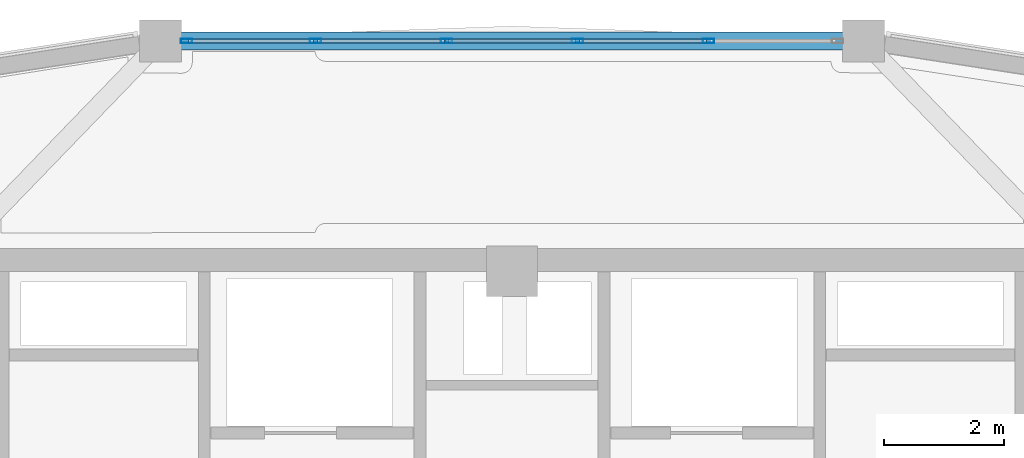
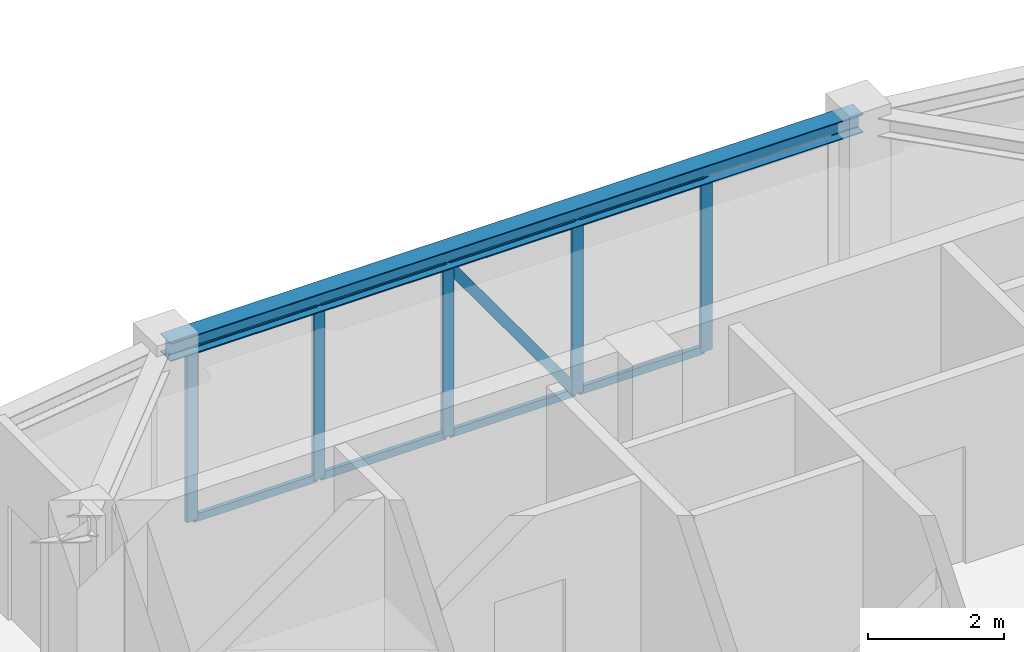
# One storey, part 9 of 15: 14 members, 1 beam, 1 element without a shape of its own.
"""IFC4 building model written with IfcOpenShell, lengths in metres."""

from ifc_helpers import new_model, si_unit, derived_unit, direction, frame, origin, origin_2d, place, context, subcontext, project, spatial, hollow_rectangle, i_section, extrude, source, transform, mapped, material, layer, layer_set, material_profile, profile_set, type_object, element, aggregate, save


model = new_model("IFC4")

# Units and contexts
model_context = context("Model", 3, precision=1e-05, world=origin(), true_north=direction((0.0, 1.0)))
body_context = subcontext(model_context, "Body", "Model", "MODEL_VIEW")
ifc_project = project(units=[si_unit("LENGTHUNIT", "METRE"), si_unit("AREAUNIT", "SQUARE_METRE"), si_unit("VOLUMEUNIT", "CUBIC_METRE"), si_unit("PLANEANGLEUNIT", "RADIAN"), si_unit("MASSUNIT", "GRAM", prefix="KILO"), derived_unit("THERMALTRANSMITTANCEUNIT", [(si_unit("POWERUNIT", "WATT"), 1), (si_unit("LENGTHUNIT", "METRE"), -2), (si_unit("THERMODYNAMICTEMPERATUREUNIT", "KELVIN"), -1)])], contexts=[model_context])

# Site, building, storey
site_placement = place(None, origin())
site = spatial("IfcSite", under=ifc_project, at=site_placement, CompositionType="ELEMENT")
building_placement = place(site_placement, origin())
building = spatial("IfcBuilding", under=site, at=building_placement, Name="Korsvarv Bourse and Concert Hall", CompositionType="ELEMENT")
storey_placement = place(building_placement, frame((0.0, 0.0, 264.60009765625)))
storey = spatial("IfcBuildingStorey", under=building, at=storey_placement, Name="L69", CompositionType="ELEMENT", Elevation=264.60009765625)

# Beam
ifc_material_1 = material(Name="Steel S355", Category="steel")
ifc_material_profile_1 = material_profile(ifc_material_1, i_section(OverallWidth=0.300048828125, OverallDepth=0.330078125, WebThickness=0.009521484375, FlangeThickness=0.0166015625, FilletRadius=0.02099609375, at=origin_2d()), Name="HEA 340")
ifc_profile_set_1 = profile_set([ifc_material_profile_1], Name="Steel S355")
beam_type = type_object("IfcBeamType", Name="BM-HEA340", PredefinedType="BEAM", material=ifc_profile_set_1)
shared_shape_1 = source(origin(), body_context, "Body", "SweptSolid", [
    extrude(i_section(OverallWidth=0.300048828125, OverallDepth=0.330078125, WebThickness=0.009521484375, FlangeThickness=0.0166015625, FilletRadius=0.02099609375, at=origin_2d()), origin(), (0.0, 0.0, 1.0), 11.73876953125),
])
beam_placement = place(storey_placement, frame((41.869384765625, 50.646728515625, 3.244873046875), z_axis=(-1.0, 0.0, 0.0), x_axis=(0.0, -1.0, 0.0)))
element("IfcBeam", 1, at=beam_placement, inside=storey, type_object=beam_type, Name="L69 beam B-12", PredefinedType="BEAM", context=body_context, shape_type="MappedRepresentation", body=[
    mapped(shared_shape_1, transform((0.0, 0.0, 0.0), scale=1.0)),
])

# Curtain wall, members
ifc_material_2 = material(Name="Anodised aluminium and triple low-E glazing", Category="glass")
ifc_layer = layer(ifc_material_2, 0.199951171875)
ifc_layer_set = layer_set([ifc_layer], Name="Anodised aluminium and triple low-E glazing")
curtain_wall_type = type_object("IfcCurtainWallType", Name="CW-SYS-3", PredefinedType="NOTDEFINED", material=ifc_layer_set)
curtain_wall_placement = place(storey_placement, origin())
curtain_wall = element("IfcCurtainWall", 2, at=curtain_wall_placement, inside=storey, type_object=curtain_wall_type, Name="L69 CW3 curtain wall CW-L69-F03", PredefinedType="NOTDEFINED")
ifc_material_3 = material(Name="Extruded aluminium EN AW-6063 T66", Category="aluminium")
ifc_material_profile_2 = material_profile(ifc_material_3, hollow_rectangle(XDim=0.070068359375, YDim=0.18994140625, WallThickness=0.0048828125, at=origin_2d()), Name="ALU-M 70x190")
ifc_profile_set_2 = profile_set([ifc_material_profile_2], Name="Extruded aluminium EN AW-6063 T66")
member_type_1 = type_object("IfcMemberType", Name="CWM-190", PredefinedType="MULLION", material=ifc_profile_set_2)
shared_shape_2 = source(origin(), body_context, "Body", "SweptSolid", [
    extrude(hollow_rectangle(XDim=0.070068359375, YDim=0.18994140625, WallThickness=0.0048828125, at=origin_2d()), origin(), (0.0, 0.0, 1.0), 3.079833984375),
])
member_1_placement = place(storey_placement, frame((39.28173828125, 50.646728515625, 0.0), z_axis=(0.0, 0.0, 1.0), x_axis=(0.0, -1.0, 0.0)))
member_1 = element("IfcMember", 3, at=member_1_placement, type_object=member_type_1, Name="CW3 mullion 2", PredefinedType="MULLION", context=body_context, shape_type="MappedRepresentation", body=[
    mapped(shared_shape_2, transform((0.0, 0.0, 0.0), scale=1.0)),
])
member_2_placement = place(storey_placement, frame((37.093994140625, 50.646728515625, 0.0), z_axis=(0.0, 0.0, 1.0), x_axis=(0.0, -1.0, 0.0)))
member_2 = element("IfcMember", 4, at=member_2_placement, type_object=member_type_1, Name="CW3 mullion 3", PredefinedType="MULLION", context=body_context, shape_type="MappedRepresentation", body=[
    mapped(shared_shape_2, transform((0.0, 0.0, 0.0), scale=1.0)),
])
member_3_placement = place(storey_placement, frame((34.906005859375, 50.646728515625, 0.0), z_axis=(0.0, 0.0, 1.0), x_axis=(0.0, -1.0, 0.0)))
member_3 = element("IfcMember", 5, at=member_3_placement, type_object=member_type_1, Name="CW3 mullion 4", PredefinedType="MULLION", context=body_context, shape_type="MappedRepresentation", body=[
    mapped(shared_shape_2, transform((0.0, 0.0, 0.0), scale=1.0)),
])
member_4_placement = place(storey_placement, frame((32.71826171875, 50.646728515625, 0.0), z_axis=(0.0, 0.0, 1.0), x_axis=(0.0, -1.0, 0.0)))
member_4 = element("IfcMember", 6, at=member_4_placement, type_object=member_type_1, Name="CW3 mullion 5", PredefinedType="MULLION", context=body_context, shape_type="MappedRepresentation", body=[
    mapped(shared_shape_2, transform((0.0, 0.0, 0.0), scale=1.0)),
])
member_5_placement = place(storey_placement, frame((30.5654296875, 50.646728515625, 0.0), z_axis=(0.0, 0.0, 1.0), x_axis=(0.0, -1.0, 0.0)))
member_5 = element("IfcMember", 7, at=member_5_placement, type_object=member_type_1, Name="CW3 mullion 6", PredefinedType="MULLION", context=body_context, shape_type="MappedRepresentation", body=[
    mapped(shared_shape_2, transform((0.0, 0.0, 0.0), scale=1.0)),
])
ifc_material_profile_3 = material_profile(ifc_material_3, hollow_rectangle(XDim=0.06494140625, YDim=0.139892578125, WallThickness=0.00390625, at=origin_2d()), Name="ALU-T 65x140")
ifc_profile_set_3 = profile_set([ifc_material_profile_3], Name="Extruded aluminium EN AW-6063 T66")
member_type_2 = type_object("IfcMemberType", Name="CWT-140", PredefinedType="USERDEFINED", material=ifc_profile_set_3)
shared_shape_3 = source(origin(), body_context, "Body", "SweptSolid", [
    extrude(hollow_rectangle(XDim=0.06494140625, YDim=0.139892578125, WallThickness=0.00390625, at=origin_2d()), origin(), (0.0, 0.0, 1.0), 2.082763671875),
])
member_6_placement = place(storey_placement, frame((32.683349609375, 50.646728515625, 0.032470703125), z_axis=(-1.0, 0.0, 0.0), x_axis=(0.0, -1.0, 0.0)))
member_6 = element("IfcMember", 8, at=member_6_placement, type_object=member_type_2, Name="CW3 transom 5.1", ObjectType="TRANSOM", PredefinedType="USERDEFINED", context=body_context, shape_type="MappedRepresentation", body=[
    mapped(shared_shape_3, transform((0.0, 0.0, 0.0), scale=1.0)),
])
member_7_placement = place(storey_placement, frame((32.683349609375, 50.646728515625, 3.04736328125), z_axis=(-1.0, 0.0, 0.0), x_axis=(0.0, -1.0, 0.0)))
member_7 = element("IfcMember", 9, at=member_7_placement, type_object=member_type_2, Name="CW3 transom 5.2", ObjectType="TRANSOM", PredefinedType="USERDEFINED", context=body_context, shape_type="MappedRepresentation", body=[
    mapped(shared_shape_3, transform((0.0, 0.0, 0.0), scale=1.0)),
])
shared_shape_4 = source(origin(), body_context, "Body", "SweptSolid", [
    extrude(hollow_rectangle(XDim=0.06494140625, YDim=0.139892578125, WallThickness=0.00390625, at=origin_2d()), origin(), (0.0, 0.0, 1.0), 2.11767578125),
])
member_8_placement = place(storey_placement, frame((39.24658203125, 50.646728515625, 0.032470703125), z_axis=(-1.0, 0.0, 0.0), x_axis=(0.0, -1.0, 0.0)))
member_8 = element("IfcMember", 10, at=member_8_placement, type_object=member_type_2, Name="CW3 transom 2.1", ObjectType="TRANSOM", PredefinedType="USERDEFINED", context=body_context, shape_type="MappedRepresentation", body=[
    mapped(shared_shape_4, transform((0.0, 0.0, 0.0), scale=1.0)),
])
member_9_placement = place(storey_placement, frame((39.24658203125, 50.646728515625, 3.04736328125), z_axis=(-1.0, 0.0, 0.0), x_axis=(0.0, -1.0, 0.0)))
member_9 = element("IfcMember", 11, at=member_9_placement, type_object=member_type_2, Name="CW3 transom 2.2", ObjectType="TRANSOM", PredefinedType="USERDEFINED", context=body_context, shape_type="MappedRepresentation", body=[
    mapped(shared_shape_4, transform((0.0, 0.0, 0.0), scale=1.0)),
])
member_10_placement = place(storey_placement, frame((37.058837890625, 50.646728515625, 0.032470703125), z_axis=(-1.0, 0.0, 0.0), x_axis=(0.0, -1.0, 0.0)))
member_10 = element("IfcMember", 12, at=member_10_placement, type_object=member_type_2, Name="CW3 transom 3.1", ObjectType="TRANSOM", PredefinedType="USERDEFINED", context=body_context, shape_type="MappedRepresentation", body=[
    mapped(shared_shape_4, transform((0.0, 0.0, 0.0), scale=1.0)),
])
member_11_placement = place(storey_placement, frame((37.058837890625, 50.646728515625, 3.04736328125), z_axis=(-1.0, 0.0, 0.0), x_axis=(0.0, -1.0, 0.0)))
member_11 = element("IfcMember", 13, at=member_11_placement, type_object=member_type_2, Name="CW3 transom 3.2", ObjectType="TRANSOM", PredefinedType="USERDEFINED", context=body_context, shape_type="MappedRepresentation", body=[
    mapped(shared_shape_4, transform((0.0, 0.0, 0.0), scale=1.0)),
])
member_12_placement = place(storey_placement, frame((34.87109375, 50.646728515625, 0.032470703125), z_axis=(-1.0, 0.0, 0.0), x_axis=(0.0, -1.0, 0.0)))
member_12 = element("IfcMember", 14, at=member_12_placement, type_object=member_type_2, Name="CW3 transom 4.1", ObjectType="TRANSOM", PredefinedType="USERDEFINED", context=body_context, shape_type="MappedRepresentation", body=[
    mapped(shared_shape_4, transform((0.0, 0.0, 0.0), scale=1.0)),
])
member_13_placement = place(storey_placement, frame((34.87109375, 50.646728515625, 3.04736328125), z_axis=(-1.0, 0.0, 0.0), x_axis=(0.0, -1.0, 0.0)))
member_13 = element("IfcMember", 15, at=member_13_placement, type_object=member_type_2, Name="CW3 transom 4.2", ObjectType="TRANSOM", PredefinedType="USERDEFINED", context=body_context, shape_type="MappedRepresentation", body=[
    mapped(shared_shape_4, transform((0.0, 0.0, 0.0), scale=1.0)),
])
ifc_material_profile_4 = material_profile(ifc_material_3, hollow_rectangle(XDim=0.06494140625, YDim=0.1650390625, WallThickness=0.0048828125, at=origin_2d()), Name="ALU-M 65x165")
ifc_profile_set_4 = profile_set([ifc_material_profile_4], Name="Extruded aluminium EN AW-6063 T66")
member_type_3 = type_object("IfcMemberType", Name="CWM-165", PredefinedType="MULLION", material=ifc_profile_set_4)
shared_shape_5 = source(origin(), body_context, "Body", "SweptSolid", [
    extrude(hollow_rectangle(XDim=0.06494140625, YDim=0.1650390625, WallThickness=0.0048828125, at=origin_2d()), origin(), (0.0, 0.0, 1.0), 3.63134765625),
])
member_14_placement = place(storey_placement, frame((37.058837890625, 50.646728515625, 0.06494140625), z_axis=(-0.583163555949, 0.0, 0.81235476672), x_axis=(0.0, -1.0, 0.0)))
member_14 = element("IfcMember", 16, at=member_14_placement, type_object=member_type_3, Name="CW3 diagonal mullion 3", PredefinedType="MULLION", context=body_context, shape_type="MappedRepresentation", body=[
    mapped(shared_shape_5, transform((0.0, 0.0, 0.0), scale=1.0)),
])
aggregate(curtain_wall, [member_1, member_2, member_3, member_4, member_5, member_8, member_9, member_10, member_11, member_14, member_12, member_13, member_6, member_7])

save(model, "model.ifc")
